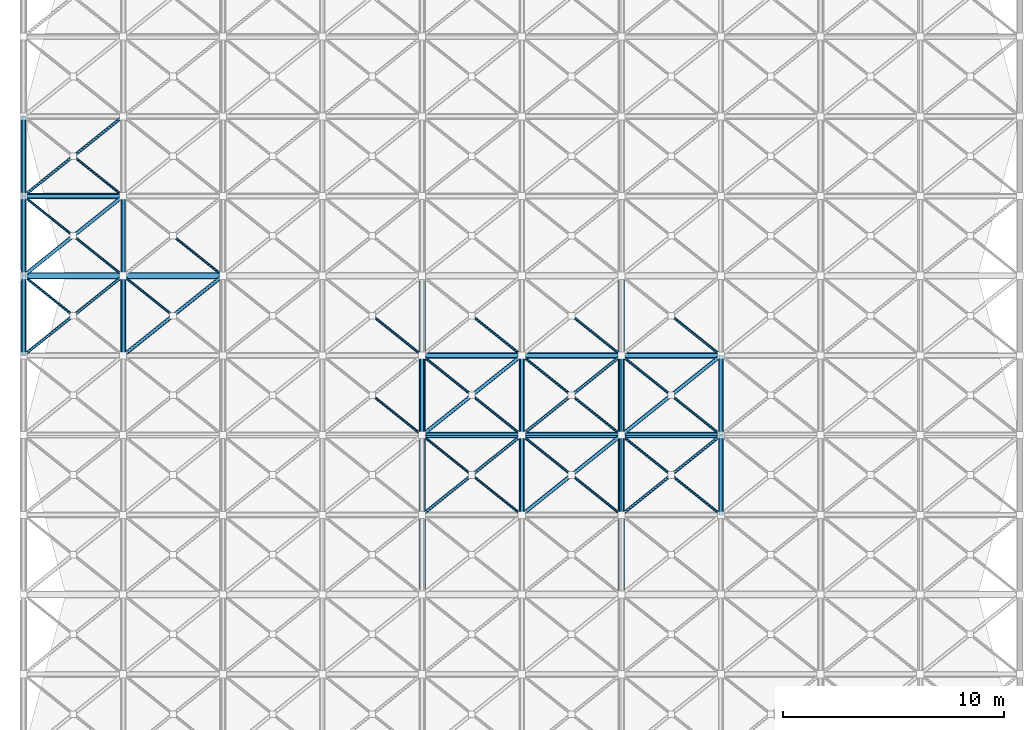
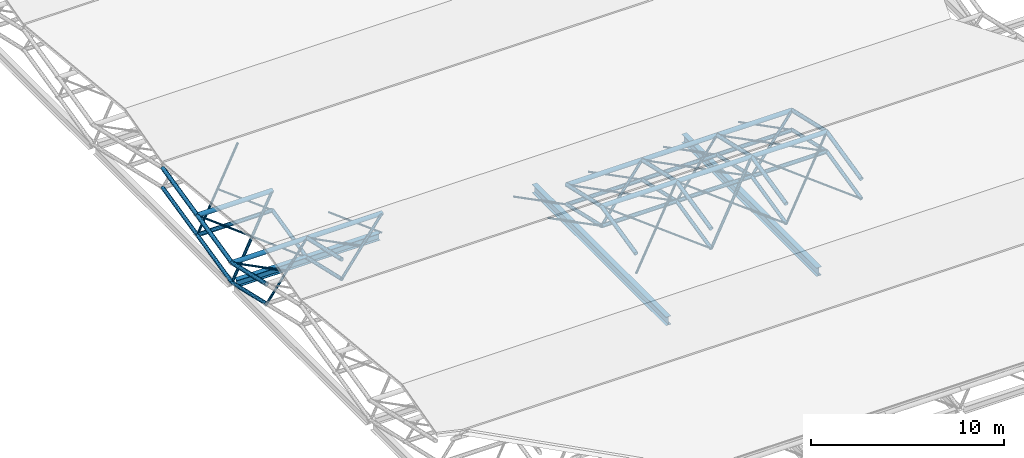
# One storey, part 15 of 110: 73 members, 3 beams.
"""IFC4 building model written with IfcOpenShell, lengths in metres."""

from ifc_helpers import new_model, si_unit, direction, frame, origin, origin_2d, place, context, subcontext, project, spatial, hollow_circle, i_section, extrude, material, material_profile, profile_set, type_object, element, save


model = new_model("IFC4")

# Units and contexts
model_context = context("Model", 3, precision=1e-05, world=origin(), true_north=direction((0.0, 1.0)))
body_context = subcontext(model_context, "Body", "Model", "MODEL_VIEW")
ifc_project = project(units=[si_unit("LENGTHUNIT", "METRE"), si_unit("AREAUNIT", "SQUARE_METRE"), si_unit("VOLUMEUNIT", "CUBIC_METRE"), si_unit("PLANEANGLEUNIT", "RADIAN"), si_unit("MASSUNIT", "GRAM", prefix="KILO")], contexts=[model_context])

# Site, building, storey
site_placement = place(None, origin())
site = spatial("IfcSite", under=ifc_project, at=site_placement, CompositionType="ELEMENT")
building_placement = place(site_placement, origin())
building = spatial("IfcBuilding", under=site, at=building_placement, Name="Tamarisk Ironworks Central Station", CompositionType="ELEMENT")
storey_placement = place(building_placement, frame((0.0, 0.0, 17.39990234375)))
storey = spatial("IfcBuildingStorey", under=building, at=storey_placement, Name="L03", CompositionType="ELEMENT", Elevation=17.39990234375)

# Beams
ifc_material_1 = material(Name="Structural steel S355J2", Category="steel")
ifc_material_profile_1 = material_profile(ifc_material_1, i_section(OverallWidth=0.300048828125, OverallDepth=0.5400390625, WebThickness=0.012451171875, FlangeThickness=0.02392578125, at=origin_2d()), Name="HEA 550")
ifc_profile_set_1 = profile_set([ifc_material_profile_1], Name="Structural steel S355J2")
beam_type_1 = type_object("IfcBeamType", Name="BM-G04", PredefinedType="BEAM", material=ifc_profile_set_1)
beam_1_placement = place(storey_placement, frame((18.0, 36.241943359375, -1.869873046875), z_axis=(0.0, 1.0, 0.0), x_axis=(-1.0, 0.0, 0.0)))
element("IfcBeam", 1, at=beam_1_placement, inside=storey, type_object=beam_type_1, Name="L03 primary girder Y-0591", PredefinedType="BEAM", context=body_context, shape_type="SweptSolid", body=[
    extrude(i_section(OverallWidth=0.300048828125, OverallDepth=0.5400390625, WebThickness=0.012451171875, FlangeThickness=0.02392578125, at=origin_2d()), origin(), (0.0, 0.0, 1.0), 13.916015625),
])
beam_2_placement = place(storey_placement, frame((27.0, 36.191162109375, -1.869873046875), z_axis=(0.0, 1.0, 0.0), x_axis=(-1.0, 0.0, 0.0)))
element("IfcBeam", 2, at=beam_2_placement, inside=storey, type_object=beam_type_1, Name="L03 primary girder Y-0595", PredefinedType="BEAM", context=body_context, shape_type="SweptSolid", body=[
    extrude(i_section(OverallWidth=0.300048828125, OverallDepth=0.5400390625, WebThickness=0.012451171875, FlangeThickness=0.02392578125, at=origin_2d()), origin(), (0.0, 0.0, 1.0), 14.017578125),
])
ifc_material_profile_2 = material_profile(ifc_material_1, i_section(OverallWidth=0.300048828125, OverallDepth=0.43994140625, WebThickness=0.011474609375, FlangeThickness=0.02099609375, at=origin_2d()), Name="HEA 450")
ifc_profile_set_2 = profile_set([ifc_material_profile_2], Name="Structural steel S355J2")
beam_type_2 = type_object("IfcBeamType", Name="BM-G06", PredefinedType="BEAM", material=ifc_profile_set_2)
beam_3_placement = place(storey_placement, frame((0.238037109375, 50.39990234375, -1.81982421875), z_axis=(1.0, 0.0, 0.0), x_axis=(0.0, 1.0, 0.0)))
element("IfcBeam", 3, at=beam_3_placement, inside=storey, type_object=beam_type_2, Name="L03 primary girder X-0557", PredefinedType="BEAM", context=body_context, shape_type="SweptSolid", body=[
    extrude(i_section(OverallWidth=0.300048828125, OverallDepth=0.43994140625, WebThickness=0.011474609375, FlangeThickness=0.02099609375, at=origin_2d()), origin(), (0.0, 0.0, 1.0), 8.57080078125),
])

# Members
ifc_material_2 = material(Name="Structural steel S355J2H", Category="steel")
ifc_material_profile_3 = material_profile(ifc_material_2, hollow_circle(Radius=0.136474609375, WallThickness=0.012451171875, at=origin_2d()), Name="CHS 273x12.5")
ifc_profile_set_3 = profile_set([ifc_material_profile_3], Name="Structural steel S355J2H")
member_type_1 = type_object("IfcMemberType", Name="MB-SFC01", PredefinedType="CHORD", material=ifc_profile_set_3)
for number, where, z_axis, x_axis, name in (
    (4, (18.0, 43.199951171875, 1.18017578125), (1.0, 0.0, 0.0), (0.0, 1.0, 0.0), "Train shed space-frame top chord 0337"),
    (5, (22.5, 43.199951171875, 1.18017578125), (1.0, 0.0, 0.0), (0.0, 1.0, 0.0), "Train shed space-frame top chord 0338"),
    (6, (27.0, 43.199951171875, 1.18017578125), (1.0, 0.0, 0.0), (0.0, 1.0, 0.0), "Train shed space-frame top chord 0339"),
    (7, (18.0, 46.800048828125, 0.35498046875), (1.0, 0.0, 0.0), (0.0, 1.0, 0.0), "Train shed space-frame top chord 0347"),
    (8, (22.5, 46.800048828125, 0.35498046875), (1.0, 0.0, 0.0), (0.0, 1.0, 0.0), "Train shed space-frame top chord 0348"),
    (9, (27.0, 46.800048828125, 0.35498046875), (1.0, 0.0, 0.0), (0.0, 1.0, 0.0), "Train shed space-frame top chord 0349"),
    (10, (0.0, 50.39990234375, -0.469970703125), (1.0, 0.0, 0.0), (0.0, 1.0, 0.0), "Train shed space-frame top chord 0353"),
    (11, (4.5, 50.39990234375, -0.469970703125), (1.0, 0.0, 0.0), (0.0, 1.0, 0.0), "Train shed space-frame top chord 0354"),
    (12, (0.0, 54.0, 0.35498046875), (1.0, 0.0, 0.0), (0.0, 1.0, 0.0), "Train shed space-frame top chord 0561"),
):
    element("IfcMember", number, at=place(storey_placement, frame(where, z_axis=z_axis, x_axis=x_axis)), inside=storey, type_object=member_type_1, Name=name, PredefinedType="CHORD", context=body_context, shape_type="SweptSolid", body=[
        extrude(hollow_circle(Radius=0.136474609375, WallThickness=0.012451171875, at=origin_2d()), origin(), (0.0, 0.0, 1.0), 4.5),
    ])
ifc_material_profile_4 = material_profile(ifc_material_2, hollow_circle(Radius=0.122314453125, WallThickness=0.012451171875, at=origin_2d()), Name="CHS 244.5x12.5")
ifc_profile_set_4 = profile_set([ifc_material_profile_4], Name="Structural steel S355J2H")
member_type_2 = type_object("IfcMemberType", Name="MB-SFC02", PredefinedType="CHORD", material=ifc_profile_set_4)
for number, where, z_axis, x_axis, name in (
    (13, (18.0, 43.199951171875, -0.06982421875), (1.0, 0.0, 0.0), (0.0, 1.0, 0.0), "Train shed space-frame bottom chord 0263"),
    (14, (22.5, 43.199951171875, -0.06982421875), (1.0, 0.0, 0.0), (0.0, 1.0, 0.0), "Train shed space-frame bottom chord 0264"),
    (15, (27.0, 43.199951171875, -0.06982421875), (1.0, 0.0, 0.0), (0.0, 1.0, 0.0), "Train shed space-frame bottom chord 0265"),
    (16, (18.0, 46.800048828125, -0.89501953125), (1.0, 0.0, 0.0), (0.0, 1.0, 0.0), "Train shed space-frame bottom chord 0273"),
    (17, (22.5, 46.800048828125, -0.89501953125), (1.0, 0.0, 0.0), (0.0, 1.0, 0.0), "Train shed space-frame bottom chord 0274"),
    (18, (27.0, 46.800048828125, -0.89501953125), (1.0, 0.0, 0.0), (0.0, 1.0, 0.0), "Train shed space-frame bottom chord 0275"),
):
    element("IfcMember", number, at=place(storey_placement, frame(where, z_axis=z_axis, x_axis=x_axis)), inside=storey, type_object=member_type_2, Name=name, PredefinedType="CHORD", context=body_context, shape_type="SweptSolid", body=[
        extrude(hollow_circle(Radius=0.122314453125, WallThickness=0.012451171875, at=origin_2d()), origin(), (0.0, 0.0, 1.0), 4.5),
    ])
for number, where, z_axis, x_axis, name in (
    (19, (0.0, 46.800048828125, 0.35498046875), (0.0, 0.974733218107, -0.223372230857), (-1.0, 0.0, 0.0), "Train shed space-frame top transverse chord 0366"),
    (20, (4.5, 46.800048828125, 0.35498046875), (0.0, 0.974733218107, -0.223372230857), (-1.0, 0.0, 0.0), "Train shed space-frame top transverse chord 0370"),
    (21, (18.0, 39.60009765625, 0.35498046875), (0.0, 0.974718823144, 0.223435037113), (-1.0, 0.0, 0.0), "Train shed space-frame top transverse chord 0380"),
):
    element("IfcMember", number, at=place(storey_placement, frame(where, z_axis=z_axis, x_axis=x_axis)), inside=storey, type_object=member_type_2, Name=name, PredefinedType="CHORD", context=body_context, shape_type="SweptSolid", body=[
        extrude(hollow_circle(Radius=0.122314453125, WallThickness=0.012451171875, at=origin_2d()), origin(), (0.0, 0.0, 1.0), 3.693115234375),
    ])
member_1_placement = place(storey_placement, frame((18.0, 43.199951171875, 1.18017578125), z_axis=(0.0, 0.974722123001, -0.223420641241), x_axis=(-1.0, 0.0, 0.0)))
element("IfcMember", 22, at=member_1_placement, inside=storey, type_object=member_type_2, Name="Train shed space-frame top transverse chord 0381", PredefinedType="CHORD", context=body_context, shape_type="SweptSolid", body=[
    extrude(hollow_circle(Radius=0.122314453125, WallThickness=0.012451171875, at=origin_2d()), origin(), (0.0, 0.0, 1.0), 3.693359375),
])
member_2_placement = place(storey_placement, frame((22.5, 39.60009765625, 0.35498046875), z_axis=(0.0, 0.974718823144, 0.223435037113), x_axis=(-1.0, 0.0, 0.0)))
element("IfcMember", 23, at=member_2_placement, inside=storey, type_object=member_type_2, Name="Train shed space-frame top transverse chord 0384", PredefinedType="CHORD", context=body_context, shape_type="SweptSolid", body=[
    extrude(hollow_circle(Radius=0.122314453125, WallThickness=0.012451171875, at=origin_2d()), origin(), (0.0, 0.0, 1.0), 3.693115234375),
])
member_3_placement = place(storey_placement, frame((22.5, 43.199951171875, 1.18017578125), z_axis=(0.0, 0.974722123001, -0.223420641241), x_axis=(-1.0, 0.0, 0.0)))
element("IfcMember", 24, at=member_3_placement, inside=storey, type_object=member_type_2, Name="Train shed space-frame top transverse chord 0385", PredefinedType="CHORD", context=body_context, shape_type="SweptSolid", body=[
    extrude(hollow_circle(Radius=0.122314453125, WallThickness=0.012451171875, at=origin_2d()), origin(), (0.0, 0.0, 1.0), 3.693359375),
])
member_4_placement = place(storey_placement, frame((27.0, 39.60009765625, 0.35498046875), z_axis=(0.0, 0.974718823144, 0.223435037113), x_axis=(-1.0, 0.0, 0.0)))
element("IfcMember", 25, at=member_4_placement, inside=storey, type_object=member_type_2, Name="Train shed space-frame top transverse chord 0388", PredefinedType="CHORD", context=body_context, shape_type="SweptSolid", body=[
    extrude(hollow_circle(Radius=0.122314453125, WallThickness=0.012451171875, at=origin_2d()), origin(), (0.0, 0.0, 1.0), 3.693115234375),
])
member_5_placement = place(storey_placement, frame((27.0, 43.199951171875, 1.18017578125), z_axis=(0.0, 0.974722123001, -0.223420641241), x_axis=(-1.0, 0.0, 0.0)))
element("IfcMember", 26, at=member_5_placement, inside=storey, type_object=member_type_2, Name="Train shed space-frame top transverse chord 0389", PredefinedType="CHORD", context=body_context, shape_type="SweptSolid", body=[
    extrude(hollow_circle(Radius=0.122314453125, WallThickness=0.012451171875, at=origin_2d()), origin(), (0.0, 0.0, 1.0), 3.693359375),
])
member_6_placement = place(storey_placement, frame((31.5, 39.60009765625, 0.35498046875), z_axis=(0.0, 0.974718823144, 0.223435037113), x_axis=(-1.0, 0.0, 0.0)))
element("IfcMember", 27, at=member_6_placement, inside=storey, type_object=member_type_2, Name="Train shed space-frame top transverse chord 0392", PredefinedType="CHORD", context=body_context, shape_type="SweptSolid", body=[
    extrude(hollow_circle(Radius=0.122314453125, WallThickness=0.012451171875, at=origin_2d()), origin(), (0.0, 0.0, 1.0), 3.693115234375),
])
member_7_placement = place(storey_placement, frame((31.5, 43.199951171875, 1.18017578125), z_axis=(0.0, 0.974722123001, -0.223420641241), x_axis=(-1.0, 0.0, 0.0)))
element("IfcMember", 28, at=member_7_placement, inside=storey, type_object=member_type_2, Name="Train shed space-frame top transverse chord 0393", PredefinedType="CHORD", context=body_context, shape_type="SweptSolid", body=[
    extrude(hollow_circle(Radius=0.122314453125, WallThickness=0.012451171875, at=origin_2d()), origin(), (0.0, 0.0, 1.0), 3.693359375),
])
member_8_placement = place(storey_placement, frame((0.0, 54.0, -0.89501953125), z_axis=(1.0, 0.0, 0.0), x_axis=(0.0, 1.0, 0.0)))
element("IfcMember", 29, at=member_8_placement, inside=storey, type_object=member_type_2, Name="Train shed space-frame bottom chord 0487", PredefinedType="CHORD", context=body_context, shape_type="SweptSolid", body=[
    extrude(hollow_circle(Radius=0.122314453125, WallThickness=0.012451171875, at=origin_2d()), origin(), (0.0, 0.0, 1.0), 4.5),
])
for number, where, z_axis, x_axis, name in (
    (30, (0.0, 50.39990234375, -0.469970703125), (0.0, 0.974736516158, 0.223357838607), (-1.0, 0.0, 0.0), "Train shed space-frame top transverse chord 0601"),
    (31, (0.0, 54.0, 0.35498046875), (0.0, 0.974722123001, 0.223420641241), (-1.0, 0.0, 0.0), "Train shed space-frame top transverse chord 0602"),
):
    element("IfcMember", number, at=place(storey_placement, frame(where, z_axis=z_axis, x_axis=x_axis)), inside=storey, type_object=member_type_2, Name=name, PredefinedType="CHORD", context=body_context, shape_type="SweptSolid", body=[
        extrude(hollow_circle(Radius=0.122314453125, WallThickness=0.012451171875, at=origin_2d()), origin(), (0.0, 0.0, 1.0), 3.693359375),
    ])
ifc_material_profile_5 = material_profile(ifc_material_2, hollow_circle(Radius=0.109619140625, WallThickness=0.010009765625, at=origin_2d()), Name="CHS 219.1x10")
ifc_profile_set_5 = profile_set([ifc_material_profile_5], Name="Structural steel S355J2H")
member_type_3 = type_object("IfcMemberType", Name="MB-SFC03", PredefinedType="CHORD", material=ifc_profile_set_5)
for number, where, z_axis, x_axis, name in (
    (32, (0.0, 46.800048828125, -0.89501953125), (0.0, 0.974733218107, -0.223372230857), (-1.0, 0.0, 0.0), "Train shed space-frame transverse chord 0282"),
    (33, (4.5, 46.800048828125, -0.89501953125), (0.0, 0.974733218107, -0.223372230857), (-1.0, 0.0, 0.0), "Train shed space-frame transverse chord 0286"),
):
    element("IfcMember", number, at=place(storey_placement, frame(where, z_axis=z_axis, x_axis=x_axis)), inside=storey, type_object=member_type_3, Name=name, PredefinedType="CHORD", context=body_context, shape_type="SweptSolid", body=[
        extrude(hollow_circle(Radius=0.109619140625, WallThickness=0.010009765625, at=origin_2d()), origin(), (0.0, 0.0, 1.0), 3.693115234375),
    ])
member_9_placement = place(storey_placement, frame((18.0, 43.199951171875, -0.06982421875), z_axis=(0.0, 0.974722123001, -0.223420641241), x_axis=(-1.0, 0.0, 0.0)))
element("IfcMember", 34, at=member_9_placement, inside=storey, type_object=member_type_3, Name="Train shed space-frame transverse chord 0297", PredefinedType="CHORD", context=body_context, shape_type="SweptSolid", body=[
    extrude(hollow_circle(Radius=0.109619140625, WallThickness=0.010009765625, at=origin_2d()), origin(), (0.0, 0.0, 1.0), 3.693359375),
])
member_10_placement = place(storey_placement, frame((22.5, 39.60009765625, -0.89501953125), z_axis=(0.0, 0.974718823144, 0.223435037113), x_axis=(-1.0, 0.0, 0.0)))
element("IfcMember", 35, at=member_10_placement, inside=storey, type_object=member_type_3, Name="Train shed space-frame transverse chord 0300", PredefinedType="CHORD", context=body_context, shape_type="SweptSolid", body=[
    extrude(hollow_circle(Radius=0.109619140625, WallThickness=0.010009765625, at=origin_2d()), origin(), (0.0, 0.0, 1.0), 3.693115234375),
])
member_11_placement = place(storey_placement, frame((22.5, 43.199951171875, -0.06982421875), z_axis=(0.0, 0.974722123001, -0.223420641241), x_axis=(-1.0, 0.0, 0.0)))
element("IfcMember", 36, at=member_11_placement, inside=storey, type_object=member_type_3, Name="Train shed space-frame transverse chord 0301", PredefinedType="CHORD", context=body_context, shape_type="SweptSolid", body=[
    extrude(hollow_circle(Radius=0.109619140625, WallThickness=0.010009765625, at=origin_2d()), origin(), (0.0, 0.0, 1.0), 3.693359375),
])
member_12_placement = place(storey_placement, frame((27.0, 39.60009765625, -0.89501953125), z_axis=(0.0, 0.974718823144, 0.223435037113), x_axis=(-1.0, 0.0, 0.0)))
element("IfcMember", 37, at=member_12_placement, inside=storey, type_object=member_type_3, Name="Train shed space-frame transverse chord 0304", PredefinedType="CHORD", context=body_context, shape_type="SweptSolid", body=[
    extrude(hollow_circle(Radius=0.109619140625, WallThickness=0.010009765625, at=origin_2d()), origin(), (0.0, 0.0, 1.0), 3.693115234375),
])
member_13_placement = place(storey_placement, frame((27.0, 43.199951171875, -0.06982421875), z_axis=(0.0, 0.974722123001, -0.223420641241), x_axis=(-1.0, 0.0, 0.0)))
element("IfcMember", 38, at=member_13_placement, inside=storey, type_object=member_type_3, Name="Train shed space-frame transverse chord 0305", PredefinedType="CHORD", context=body_context, shape_type="SweptSolid", body=[
    extrude(hollow_circle(Radius=0.109619140625, WallThickness=0.010009765625, at=origin_2d()), origin(), (0.0, 0.0, 1.0), 3.693359375),
])
member_14_placement = place(storey_placement, frame((31.5, 39.60009765625, -0.89501953125), z_axis=(0.0, 0.974718823144, 0.223435037113), x_axis=(-1.0, 0.0, 0.0)))
element("IfcMember", 39, at=member_14_placement, inside=storey, type_object=member_type_3, Name="Train shed space-frame transverse chord 0308", PredefinedType="CHORD", context=body_context, shape_type="SweptSolid", body=[
    extrude(hollow_circle(Radius=0.109619140625, WallThickness=0.010009765625, at=origin_2d()), origin(), (0.0, 0.0, 1.0), 3.693115234375),
])
for number, where, z_axis, x_axis, name in (
    (40, (31.5, 43.199951171875, -0.06982421875), (0.0, 0.974722123001, -0.223420641241), (-1.0, 0.0, 0.0), "Train shed space-frame transverse chord 0309"),
    (41, (0.0, 50.39990234375, -1.719970703125), (0.0, 0.974736516158, 0.223357838607), (-1.0, 0.0, 0.0), "Train shed space-frame transverse chord 0517"),
    (42, (0.0, 54.0, -0.89501953125), (0.0, 0.974722123001, 0.223420641241), (-1.0, 0.0, 0.0), "Train shed space-frame transverse chord 0518"),
    (43, (4.5, 50.39990234375, -1.719970703125), (0.0, 0.974736516158, 0.223357838607), (-1.0, 0.0, 0.0), "Train shed space-frame transverse chord 0521"),
):
    element("IfcMember", number, at=place(storey_placement, frame(where, z_axis=z_axis, x_axis=x_axis)), inside=storey, type_object=member_type_3, Name=name, PredefinedType="CHORD", context=body_context, shape_type="SweptSolid", body=[
        extrude(hollow_circle(Radius=0.109619140625, WallThickness=0.010009765625, at=origin_2d()), origin(), (0.0, 0.0, 1.0), 3.693359375),
    ])
ifc_material_profile_6 = material_profile(ifc_material_2, hollow_circle(Radius=0.084228515625, WallThickness=0.010009765625, at=origin_2d()), Name="CHS 168.3x10")
ifc_profile_set_6 = profile_set([ifc_material_profile_6], Name="Structural steel S355J2H")
member_type_4 = type_object("IfcMemberType", Name="MB-SFD01", PredefinedType="BRACE", material=ifc_profile_set_6)
member_15_placement = place(storey_placement, frame((4.5, 46.800048828125, -0.89501953125), z_axis=(0.778765724077, 0.622987228815, 0.073558546312), x_axis=(-0.624679547852, 0.780881208953, 0.0)))
element("IfcMember", 44, at=member_15_placement, inside=storey, type_object=member_type_4, Name="Train shed space-frame diagonal 0421", PredefinedType="BRACE", context=body_context, shape_type="SweptSolid", body=[
    extrude(hollow_circle(Radius=0.084228515625, WallThickness=0.010009765625, at=origin_2d()), origin(), (0.0, 0.0, 1.0), 5.7783203125),
])
member_16_placement = place(storey_placement, frame((18.0, 43.199951171875, -0.06982421875), z_axis=(0.778747645228, 0.623015016088, 0.073514588905), x_axis=(-0.624705380279, 0.780860543151, 0.0)))
element("IfcMember", 45, at=member_16_placement, inside=storey, type_object=member_type_4, Name="Train shed space-frame diagonal 0443", PredefinedType="BRACE", context=body_context, shape_type="SweptSolid", body=[
    extrude(hollow_circle(Radius=0.084228515625, WallThickness=0.010009765625, at=origin_2d()), origin(), (0.0, 0.0, 1.0), 5.778564453125),
])
member_17_placement = place(storey_placement, frame((22.5, 39.60009765625, -0.89501953125), z_axis=(0.734696267565, 0.587733098158, 0.338808500125), x_axis=(-0.624679547852, 0.780881208953, 0.0)))
element("IfcMember", 46, at=member_17_placement, inside=storey, type_object=member_type_4, Name="Train shed space-frame diagonal 0449", PredefinedType="BRACE", context=body_context, shape_type="SweptSolid", body=[
    extrude(hollow_circle(Radius=0.084228515625, WallThickness=0.010009765625, at=origin_2d()), origin(), (0.0, 0.0, 1.0), 6.125),
])
member_18_placement = place(storey_placement, frame((27.0, 43.199951171875, -0.06982421875), z_axis=(0.778747645228, 0.623015016088, 0.073514588905), x_axis=(-0.624705380279, 0.780860543151, 0.0)))
element("IfcMember", 47, at=member_18_placement, inside=storey, type_object=member_type_4, Name="Train shed space-frame diagonal 0459", PredefinedType="BRACE", context=body_context, shape_type="SweptSolid", body=[
    extrude(hollow_circle(Radius=0.084228515625, WallThickness=0.010009765625, at=origin_2d()), origin(), (0.0, 0.0, 1.0), 5.778564453125),
])
member_19_placement = place(storey_placement, frame((0.0, 50.39990234375, -1.719970703125), z_axis=(0.734688976783, 0.587767125198, 0.33876527852), x_axis=(-0.624705380279, 0.780860543151, 0.0)))
element("IfcMember", 48, at=member_19_placement, inside=storey, type_object=member_type_4, Name="Train shed space-frame diagonal 0645", PredefinedType="BRACE", context=body_context, shape_type="SweptSolid", body=[
    extrude(hollow_circle(Radius=0.084228515625, WallThickness=0.010009765625, at=origin_2d()), origin(), (0.0, 0.0, 1.0), 6.125),
])
ifc_material_profile_7 = material_profile(ifc_material_2, hollow_circle(Radius=0.06982421875, WallThickness=0.008056640625, at=origin_2d()), Name="CHS 139.7x8")
ifc_profile_set_7 = profile_set([ifc_material_profile_7], Name="Structural steel S355J2H")
member_type_5 = type_object("IfcMemberType", Name="MB-SFD02", PredefinedType="BRACE", material=ifc_profile_set_7)
member_20_placement = place(storey_placement, frame((0.0, 46.800048828125, -0.89501953125), z_axis=(0.778765724077, 0.622987228815, 0.073558546312), x_axis=(-0.624679547852, 0.780881208953, 0.0)))
element("IfcMember", 49, at=member_20_placement, inside=storey, type_object=member_type_5, Name="Train shed space-frame diagonal 0413", PredefinedType="BRACE", context=body_context, shape_type="SweptSolid", body=[
    extrude(hollow_circle(Radius=0.06982421875, WallThickness=0.008056640625, at=origin_2d()), origin(), (0.0, 0.0, 1.0), 5.7783203125),
])
member_21_placement = place(storey_placement, frame((18.0, 39.60009765625, -0.89501953125), z_axis=(0.734696267565, 0.587733098158, 0.338808500125), x_axis=(-0.624679547852, 0.780881208953, 0.0)))
element("IfcMember", 50, at=member_21_placement, inside=storey, type_object=member_type_5, Name="Train shed space-frame diagonal 0441", PredefinedType="BRACE", context=body_context, shape_type="SweptSolid", body=[
    extrude(hollow_circle(Radius=0.06982421875, WallThickness=0.008056640625, at=origin_2d()), origin(), (0.0, 0.0, 1.0), 6.125),
])
member_22_placement = place(storey_placement, frame((22.5, 43.199951171875, -0.06982421875), z_axis=(0.778747645228, 0.623015016088, 0.073514588905), x_axis=(-0.624705380279, 0.780860543151, 0.0)))
element("IfcMember", 51, at=member_22_placement, inside=storey, type_object=member_type_5, Name="Train shed space-frame diagonal 0451", PredefinedType="BRACE", context=body_context, shape_type="SweptSolid", body=[
    extrude(hollow_circle(Radius=0.06982421875, WallThickness=0.008056640625, at=origin_2d()), origin(), (0.0, 0.0, 1.0), 5.778564453125),
])
member_23_placement = place(storey_placement, frame((27.0, 39.60009765625, -0.89501953125), z_axis=(0.734696267565, 0.587733098158, 0.338808500125), x_axis=(-0.624679547852, 0.780881208953, 0.0)))
element("IfcMember", 52, at=member_23_placement, inside=storey, type_object=member_type_5, Name="Train shed space-frame diagonal 0457", PredefinedType="BRACE", context=body_context, shape_type="SweptSolid", body=[
    extrude(hollow_circle(Radius=0.06982421875, WallThickness=0.008056640625, at=origin_2d()), origin(), (0.0, 0.0, 1.0), 6.125),
])
member_24_placement = place(storey_placement, frame((0.0, 54.0, -0.89501953125), z_axis=(0.734679055902, 0.587759188278, 0.338800562889), x_axis=(-0.624705380279, 0.780860543151, 0.0)))
element("IfcMember", 53, at=member_24_placement, inside=storey, type_object=member_type_5, Name="Train shed space-frame diagonal 0647", PredefinedType="BRACE", context=body_context, shape_type="SweptSolid", body=[
    extrude(hollow_circle(Radius=0.06982421875, WallThickness=0.008056640625, at=origin_2d()), origin(), (0.0, 0.0, 1.0), 6.125244140625),
])
ifc_material_profile_8 = material_profile(ifc_material_2, hollow_circle(Radius=0.05712890625, WallThickness=0.00634765625, at=origin_2d()), Name="CHS 114.3x6.3")
ifc_profile_set_8 = profile_set([ifc_material_profile_8], Name="Structural steel S355J2H")
member_type_6 = type_object("IfcMemberType", Name="MB-SFD03", PredefinedType="BRACE", material=ifc_profile_set_8)
for number, where, z_axis, x_axis, name in (
    (54, (2.207275390625, 48.63427734375, -0.678466796875), (-0.778786711003, 0.622960457248, 0.073563084968), (-0.624652913247, -0.780902515025, 0.0), "Train shed space-frame split counter-diagonal upper 0414"),
    (55, (6.707275390625, 48.63427734375, -0.678466796875), (-0.778786711003, 0.622960457248, 0.073563084968), (-0.624652913247, -0.780902515025, 0.0), "Train shed space-frame split counter-diagonal upper 0422"),
):
    element("IfcMember", number, at=place(storey_placement, frame(where, z_axis=z_axis, x_axis=x_axis)), inside=storey, type_object=member_type_6, Name=name, PredefinedType="BRACE", context=body_context, shape_type="SweptSolid", body=[
        extrude(hollow_circle(Radius=0.05712890625, WallThickness=0.00634765625, at=origin_2d()), origin(), (0.0, 0.0, 1.0), 2.834228515625),
    ])
member_25_placement = place(storey_placement, frame((18.0, 43.199951171875, -0.06982421875), z_axis=(-0.778744920641, 0.623013163477, 0.07355913751), x_axis=(-0.624705580279, -0.780860383147, 0.0)))
element("IfcMember", 56, at=member_25_placement, inside=storey, type_object=member_type_6, Name="Train shed space-frame split counter-diagonal lower 0436", PredefinedType="BRACE", context=body_context, shape_type="SweptSolid", body=[
    extrude(hollow_circle(Radius=0.05712890625, WallThickness=0.00634765625, at=origin_2d()), origin(), (0.0, 0.0, 1.0), 2.83447265625),
])
member_26_placement = place(storey_placement, frame((18.0, 46.800048828125, -0.89501953125), z_axis=(-0.778786711003, 0.622960457248, 0.073563084968), x_axis=(-0.624652913247, -0.780902515025, 0.0)))
element("IfcMember", 57, at=member_26_placement, inside=storey, type_object=member_type_6, Name="Train shed space-frame split counter-diagonal lower 0438", PredefinedType="BRACE", context=body_context, shape_type="SweptSolid", body=[
    extrude(hollow_circle(Radius=0.05712890625, WallThickness=0.00634765625, at=origin_2d()), origin(), (0.0, 0.0, 1.0), 2.834228515625),
])
for number, where, z_axis, x_axis, name in (
    (58, (22.5, 39.60009765625, -0.89501953125), (-0.734712152648, 0.587704782363, 0.33882317149), (-0.624652959802, -0.780902477785, 0.0), "Train shed space-frame split counter-diagonal lower 0442"),
    (59, (20.209716796875, 41.432373046875, 0.1611328125), (-0.734712152648, 0.587704782363, 0.33882317149), (-0.624652959802, -0.780902477785, 0.0), "Train shed space-frame split counter-diagonal upper 0442"),
):
    element("IfcMember", number, at=place(storey_placement, frame(where, z_axis=z_axis, x_axis=x_axis)), inside=storey, type_object=member_type_6, Name=name, PredefinedType="BRACE", context=body_context, shape_type="SweptSolid", body=[
        extrude(hollow_circle(Radius=0.05712890625, WallThickness=0.00634765625, at=origin_2d()), origin(), (0.0, 0.0, 1.0), 3.007568359375),
    ])
for number, where, z_axis, x_axis, name in (
    (60, (22.5, 43.199951171875, -0.06982421875), (-0.778744920641, 0.623013163477, 0.07355913751), (-0.624705580279, -0.780860383147, 0.0), "Train shed space-frame split counter-diagonal lower 0444"),
    (61, (20.207275390625, 45.0341796875, 0.146484375), (-0.778744920641, 0.623013163477, 0.07355913751), (-0.624705580279, -0.780860383147, 0.0), "Train shed space-frame split counter-diagonal upper 0444"),
):
    element("IfcMember", number, at=place(storey_placement, frame(where, z_axis=z_axis, x_axis=x_axis)), inside=storey, type_object=member_type_6, Name=name, PredefinedType="BRACE", context=body_context, shape_type="SweptSolid", body=[
        extrude(hollow_circle(Radius=0.05712890625, WallThickness=0.00634765625, at=origin_2d()), origin(), (0.0, 0.0, 1.0), 2.83447265625),
    ])
member_27_placement = place(storey_placement, frame((22.5, 46.800048828125, -0.89501953125), z_axis=(-0.778786711003, 0.622960457248, 0.073563084968), x_axis=(-0.624652913247, -0.780902515025, 0.0)))
element("IfcMember", 62, at=member_27_placement, inside=storey, type_object=member_type_6, Name="Train shed space-frame split counter-diagonal lower 0446", PredefinedType="BRACE", context=body_context, shape_type="SweptSolid", body=[
    extrude(hollow_circle(Radius=0.05712890625, WallThickness=0.00634765625, at=origin_2d()), origin(), (0.0, 0.0, 1.0), 2.834228515625),
])
for number, where, z_axis, x_axis, name in (
    (63, (27.0, 39.60009765625, -0.89501953125), (-0.734712152648, 0.587704782363, 0.33882317149), (-0.624652959802, -0.780902477785, 0.0), "Train shed space-frame split counter-diagonal lower 0450"),
    (64, (24.709716796875, 41.432373046875, 0.1611328125), (-0.734712152648, 0.587704782363, 0.33882317149), (-0.624652959802, -0.780902477785, 0.0), "Train shed space-frame split counter-diagonal upper 0450"),
):
    element("IfcMember", number, at=place(storey_placement, frame(where, z_axis=z_axis, x_axis=x_axis)), inside=storey, type_object=member_type_6, Name=name, PredefinedType="BRACE", context=body_context, shape_type="SweptSolid", body=[
        extrude(hollow_circle(Radius=0.05712890625, WallThickness=0.00634765625, at=origin_2d()), origin(), (0.0, 0.0, 1.0), 3.007568359375),
    ])
for number, where, z_axis, x_axis, name in (
    (65, (27.0, 43.199951171875, -0.06982421875), (-0.778744920641, 0.623013163477, 0.07355913751), (-0.624705580279, -0.780860383147, 0.0), "Train shed space-frame split counter-diagonal lower 0452"),
    (66, (24.707275390625, 45.0341796875, 0.146484375), (-0.778744920641, 0.623013163477, 0.07355913751), (-0.624705580279, -0.780860383147, 0.0), "Train shed space-frame split counter-diagonal upper 0452"),
):
    element("IfcMember", number, at=place(storey_placement, frame(where, z_axis=z_axis, x_axis=x_axis)), inside=storey, type_object=member_type_6, Name=name, PredefinedType="BRACE", context=body_context, shape_type="SweptSolid", body=[
        extrude(hollow_circle(Radius=0.05712890625, WallThickness=0.00634765625, at=origin_2d()), origin(), (0.0, 0.0, 1.0), 2.83447265625),
    ])
member_28_placement = place(storey_placement, frame((27.0, 46.800048828125, -0.89501953125), z_axis=(-0.778786711003, 0.622960457248, 0.073563084968), x_axis=(-0.624652913247, -0.780902515025, 0.0)))
element("IfcMember", 67, at=member_28_placement, inside=storey, type_object=member_type_6, Name="Train shed space-frame split counter-diagonal lower 0454", PredefinedType="BRACE", context=body_context, shape_type="SweptSolid", body=[
    extrude(hollow_circle(Radius=0.05712890625, WallThickness=0.00634765625, at=origin_2d()), origin(), (0.0, 0.0, 1.0), 2.834228515625),
])
for number, where, z_axis, x_axis, name in (
    (68, (31.5, 39.60009765625, -0.89501953125), (-0.734712152648, 0.587704782363, 0.33882317149), (-0.624652959802, -0.780902477785, 0.0), "Train shed space-frame split counter-diagonal lower 0458"),
    (69, (29.209716796875, 41.432373046875, 0.1611328125), (-0.734712152648, 0.587704782363, 0.33882317149), (-0.624652959802, -0.780902477785, 0.0), "Train shed space-frame split counter-diagonal upper 0458"),
):
    element("IfcMember", number, at=place(storey_placement, frame(where, z_axis=z_axis, x_axis=x_axis)), inside=storey, type_object=member_type_6, Name=name, PredefinedType="BRACE", context=body_context, shape_type="SweptSolid", body=[
        extrude(hollow_circle(Radius=0.05712890625, WallThickness=0.00634765625, at=origin_2d()), origin(), (0.0, 0.0, 1.0), 3.007568359375),
    ])
for number, where, z_axis, x_axis, name in (
    (70, (31.5, 43.199951171875, -0.06982421875), (-0.778744920641, 0.623013163477, 0.07355913751), (-0.624705580279, -0.780860383147, 0.0), "Train shed space-frame split counter-diagonal lower 0460"),
    (71, (29.207275390625, 45.0341796875, 0.146484375), (-0.778744920641, 0.623013163477, 0.07355913751), (-0.624705580279, -0.780860383147, 0.0), "Train shed space-frame split counter-diagonal upper 0460"),
):
    element("IfcMember", number, at=place(storey_placement, frame(where, z_axis=z_axis, x_axis=x_axis)), inside=storey, type_object=member_type_6, Name=name, PredefinedType="BRACE", context=body_context, shape_type="SweptSolid", body=[
        extrude(hollow_circle(Radius=0.05712890625, WallThickness=0.00634765625, at=origin_2d()), origin(), (0.0, 0.0, 1.0), 2.83447265625),
    ])
member_29_placement = place(storey_placement, frame((31.5, 46.800048828125, -0.89501953125), z_axis=(-0.778786711003, 0.622960457248, 0.073563084968), x_axis=(-0.624652913247, -0.780902515025, 0.0)))
element("IfcMember", 72, at=member_29_placement, inside=storey, type_object=member_type_6, Name="Train shed space-frame split counter-diagonal lower 0462", PredefinedType="BRACE", context=body_context, shape_type="SweptSolid", body=[
    extrude(hollow_circle(Radius=0.05712890625, WallThickness=0.00634765625, at=origin_2d()), origin(), (0.0, 0.0, 1.0), 2.834228515625),
])
member_30_placement = place(storey_placement, frame((4.5, 50.39990234375, -1.719970703125), z_axis=(-0.734677102003, 0.587757915766, 0.338807007376), x_axis=(-0.624705568642, -0.780860392457, 0.0)))
element("IfcMember", 73, at=member_30_placement, inside=storey, type_object=member_type_6, Name="Train shed space-frame split counter-diagonal lower 0646", PredefinedType="BRACE", context=body_context, shape_type="SweptSolid", body=[
    extrude(hollow_circle(Radius=0.05712890625, WallThickness=0.00634765625, at=origin_2d()), origin(), (0.0, 0.0, 1.0), 3.0078125),
])
for number, where, z_axis, x_axis, name in (
    (74, (2.209716796875, 52.232421875, -0.663818359375), (-0.734732358486, 0.587720945248, 0.338751312779), (-0.624652959802, -0.780902477785, 0.0), "Train shed space-frame split counter-diagonal upper 0646"),
    (75, (4.5, 54.0, -0.89501953125), (-0.734712152648, 0.587704782363, 0.33882317149), (-0.624652959802, -0.780902477785, 0.0), "Train shed space-frame split counter-diagonal lower 0648"),
):
    element("IfcMember", number, at=place(storey_placement, frame(where, z_axis=z_axis, x_axis=x_axis)), inside=storey, type_object=member_type_6, Name=name, PredefinedType="BRACE", context=body_context, shape_type="SweptSolid", body=[
        extrude(hollow_circle(Radius=0.05712890625, WallThickness=0.00634765625, at=origin_2d()), origin(), (0.0, 0.0, 1.0), 3.007568359375),
    ])
member_31_placement = place(storey_placement, frame((9.0, 50.39990234375, -1.719970703125), z_axis=(-0.734677102003, 0.587757915766, 0.338807007376), x_axis=(-0.624705568642, -0.780860392457, 0.0)))
element("IfcMember", 76, at=member_31_placement, inside=storey, type_object=member_type_6, Name="Train shed space-frame split counter-diagonal lower 0654", PredefinedType="BRACE", context=body_context, shape_type="SweptSolid", body=[
    extrude(hollow_circle(Radius=0.05712890625, WallThickness=0.00634765625, at=origin_2d()), origin(), (0.0, 0.0, 1.0), 3.0078125),
])

save(model, "model.ifc")
